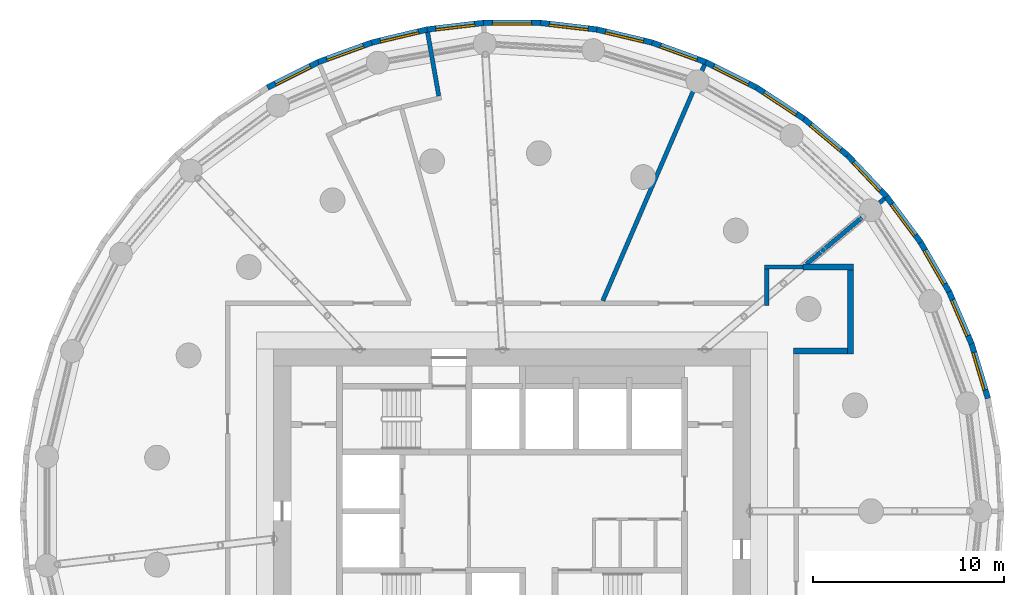
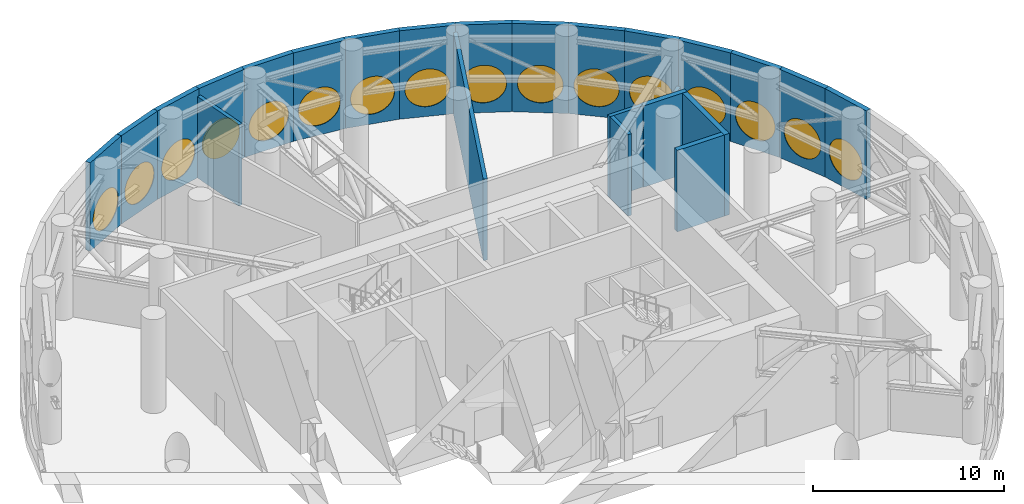
# One storey, part 12 of 15: 24 walls, 16 windows, 16 openings.
"""IFC4 building model written with IfcOpenShell, lengths in metres."""

from ifc_helpers import new_model, si_unit, direction, frame, frame_2d, origin, origin_2d, place, context, subcontext, project, spatial, rectangle, circle, extrude, material, layer, layer_set, type_object, element, fill, save


model = new_model("IFC4")

# Units and contexts
model_context = context("Model", 3, precision=1e-05, world=origin(), true_north=direction((0.0, 1.0)))
body_context = subcontext(model_context, "Body", "Model", "MODEL_VIEW")
ifc_project = project(units=[si_unit("LENGTHUNIT", "METRE"), si_unit("AREAUNIT", "SQUARE_METRE"), si_unit("VOLUMEUNIT", "CUBIC_METRE"), si_unit("PLANEANGLEUNIT", "RADIAN"), si_unit("MASSUNIT", "GRAM", prefix="KILO")], contexts=[model_context])

# Site, building, storey
site_placement = place(None, origin())
site = spatial("IfcSite", under=ifc_project, at=site_placement, CompositionType="ELEMENT")
building_placement = place(site_placement, origin())
building = spatial("IfcBuilding", under=site, at=building_placement, Name="Tracery Tower", CompositionType="ELEMENT")
storey_placement = place(building_placement, frame((0.0, 0.0, 225.0)))
storey = spatial("IfcBuildingStorey", under=building, at=storey_placement, Name="L58 Plant", CompositionType="ELEMENT", Elevation=225.0)

# Wall, opening, window
ifc_material_1 = material(Name="Precast concrete C50/60", Category="concrete")
ifc_layer_1 = layer(ifc_material_1, 0.300048828125)
ifc_layer_set_1 = layer_set([ifc_layer_1], Name="Plant louvre panel 3000 x 5650")
wall_type_1 = type_object("IfcWallType", Name="Plant louvre panel 3000 x 5650", PredefinedType="SOLIDWALL", material=ifc_layer_set_1)
wall_1_placement = place(storey_placement, frame((24.9560546875, 5.914794921875, 0.0), z_axis=(0.0, 0.0, 1.0), x_axis=(-0.286754535355, 0.958004089998, 0.0)))
wall_1 = element("IfcWall", 1, at=wall_1_placement, inside=storey, type_object=wall_type_1, Name="Plant louvre panel 3 at L58 Plant", PredefinedType="SOLIDWALL", context=body_context, shape_type="SweptSolid", body=[
    extrude(rectangle(XDim=2.982421875, YDim=0.300048828125, at=frame_2d((1.4912109375, 0.0))), origin(), (0.0, 0.0, 1.0), 5.64990234375),
])
opening_1_placement = place(wall_1_placement, frame((1.4912109375, 0.0, 1.824951171875)))
opening_1 = element("IfcOpeningElement", 2, at=opening_1_placement, cuts=wall_1, Name="Opening LV2", PredefinedType="OPENING", context=body_context, shape_type="SweptSolid", body=[
    extrude(circle(Radius=1.199951171875, at=origin_2d()), frame((0.0, 0.159912109375, 0.0), z_axis=(0.0, -1.0, 0.0), x_axis=(1.0, 0.0, 0.0)), (0.0, 0.0, 1.0), 0.320068359375),
])
ifc_material_2 = material(Name="Aluminium louvre, bronze anodised", Category="aluminium")
window_type = type_object("IfcWindowType", Name="Louvred oculus 2400, sill 625", PartitioningType="SINGLE_PANEL", PredefinedType="WINDOW", material=ifc_material_2)
window_1_placement = place(opening_1_placement, origin())
window_1 = element("IfcWindow", 3, at=window_1_placement, inside=storey, type_object=window_type, Name="Louvred oculus 3 at L58 Plant", OverallHeight=2.39990234375, OverallWidth=2.39990234375, PartitioningType="SINGLE_PANEL", PredefinedType="WINDOW", context=body_context, shape_type="SweptSolid", body=[
    extrude(circle(Radius=1.199951171875, at=origin_2d()), frame((0.0, 0.1201171875, 0.0), z_axis=(0.0, -1.0, 0.0), x_axis=(1.0, 0.0, 0.0)), (0.0, 0.0, 1.0), 0.10009765625),
])
fill(opening_1, window_1)

wall_2_placement = place(storey_placement, frame((24.100830078125, 8.77197265625, 0.0), z_axis=(0.0, 0.0, 1.0), x_axis=(-0.396111410027, 0.918202456349, 0.0)))
wall_2 = element("IfcWall", 4, at=wall_2_placement, inside=storey, type_object=wall_type_1, Name="Plant louvre panel 4 at L58 Plant", PredefinedType="SOLIDWALL", context=body_context, shape_type="SweptSolid", body=[
    extrude(rectangle(XDim=2.982421875, YDim=0.300048828125, at=frame_2d((1.4912109375, 0.0))), origin(), (0.0, 0.0, 1.0), 5.64990234375),
])
opening_2_placement = place(wall_2_placement, frame((1.4912109375, 0.0, 1.824951171875)))
opening_2 = element("IfcOpeningElement", 5, at=opening_2_placement, cuts=wall_2, Name="Opening LV2", PredefinedType="OPENING", context=body_context, shape_type="SweptSolid", body=[
    extrude(circle(Radius=1.199951171875, at=origin_2d()), frame((0.0, 0.159912109375, 0.0), z_axis=(0.0, -1.0, 0.0), x_axis=(1.0, 0.0, 0.0)), (0.0, 0.0, 1.0), 0.320068359375),
])
window_2_placement = place(opening_2_placement, origin())
window_2 = element("IfcWindow", 6, at=window_2_placement, inside=storey, type_object=window_type, Name="Louvred oculus 4 at L58 Plant", OverallHeight=2.39990234375, OverallWidth=2.39990234375, PartitioningType="SINGLE_PANEL", PredefinedType="WINDOW", context=body_context, shape_type="SweptSolid", body=[
    extrude(circle(Radius=1.199951171875, at=origin_2d()), frame((0.0, 0.1201171875, 0.0), z_axis=(0.0, -1.0, 0.0), x_axis=(1.0, 0.0, 0.0)), (0.0, 0.0, 1.0), 0.10009765625),
])
fill(opening_2, window_2)

wall_3_placement = place(storey_placement, frame((22.91943359375, 11.510498046875, 0.0), z_axis=(0.0, 0.0, 1.0), x_axis=(-0.499977539641, 0.866038370891, 0.0)))
wall_3 = element("IfcWall", 7, at=wall_3_placement, inside=storey, type_object=wall_type_1, Name="Plant louvre panel 5 at L58 Plant", PredefinedType="SOLIDWALL", context=body_context, shape_type="SweptSolid", body=[
    extrude(rectangle(XDim=2.982666015625, YDim=0.300048828125, at=frame_2d((1.4912109375, 0.0))), origin(), (0.0, 0.0, 1.0), 5.64990234375),
])
opening_3_placement = place(wall_3_placement, frame((1.4912109375, 0.0, 1.824951171875)))
opening_3 = element("IfcOpeningElement", 8, at=opening_3_placement, cuts=wall_3, Name="Opening LV2", PredefinedType="OPENING", context=body_context, shape_type="SweptSolid", body=[
    extrude(circle(Radius=1.199951171875, at=origin_2d()), frame((0.0, 0.159912109375, 0.0), z_axis=(0.0, -1.0, 0.0), x_axis=(1.0, 0.0, 0.0)), (0.0, 0.0, 1.0), 0.320068359375),
])
window_3_placement = place(opening_3_placement, origin())
window_3 = element("IfcWindow", 9, at=window_3_placement, inside=storey, type_object=window_type, Name="Louvred oculus 5 at L58 Plant", OverallHeight=2.39990234375, OverallWidth=2.39990234375, PartitioningType="SINGLE_PANEL", PredefinedType="WINDOW", context=body_context, shape_type="SweptSolid", body=[
    extrude(circle(Radius=1.199951171875, at=origin_2d()), frame((0.0, 0.1201171875, 0.0), z_axis=(0.0, -1.0, 0.0), x_axis=(1.0, 0.0, 0.0)), (0.0, 0.0, 1.0), 0.10009765625),
])
fill(opening_3, window_3)

wall_4_placement = place(storey_placement, frame((21.42822265625, 14.093505859375, 0.0), z_axis=(0.0, 0.0, 1.0), x_axis=(-0.597206768034, 0.802087324557, 0.0)))
wall_4 = element("IfcWall", 10, at=wall_4_placement, inside=storey, type_object=wall_type_1, Name="Plant louvre panel 6 at L58 Plant", PredefinedType="SOLIDWALL", context=body_context, shape_type="SweptSolid", body=[
    extrude(rectangle(XDim=2.982666015625, YDim=0.300048828125, at=frame_2d((1.4912109375, 0.0))), origin(), (0.0, 0.0, 1.0), 5.64990234375),
])
opening_4_placement = place(wall_4_placement, frame((1.4912109375, 0.0, 1.824951171875)))
opening_4 = element("IfcOpeningElement", 11, at=opening_4_placement, cuts=wall_4, Name="Opening LV2", PredefinedType="OPENING", context=body_context, shape_type="SweptSolid", body=[
    extrude(circle(Radius=1.199951171875, at=origin_2d()), frame((0.0, 0.159912109375, 0.0), z_axis=(0.0, -1.0, 0.0), x_axis=(1.0, 0.0, 0.0)), (0.0, 0.0, 1.0), 0.320068359375),
])
window_4_placement = place(opening_4_placement, origin())
window_4 = element("IfcWindow", 12, at=window_4_placement, inside=storey, type_object=window_type, Name="Louvred oculus 6 at L58 Plant", OverallHeight=2.39990234375, OverallWidth=2.39990234375, PartitioningType="SINGLE_PANEL", PredefinedType="WINDOW", context=body_context, shape_type="SweptSolid", body=[
    extrude(circle(Radius=1.199951171875, at=origin_2d()), frame((0.0, 0.1201171875, 0.0), z_axis=(0.0, -1.0, 0.0), x_axis=(1.0, 0.0, 0.0)), (0.0, 0.0, 1.0), 0.10009765625),
])
fill(opening_4, window_4)

wall_5_placement = place(storey_placement, frame((19.64697265625, 16.48583984375, 0.0), z_axis=(0.0, 0.0, 1.0), x_axis=(-0.686219609698, 0.72739442345, 0.0)))
wall_5 = element("IfcWall", 13, at=wall_5_placement, inside=storey, type_object=wall_type_1, Name="Plant louvre panel 7 at L58 Plant", PredefinedType="SOLIDWALL", context=body_context, shape_type="SweptSolid", body=[
    extrude(rectangle(XDim=2.982421875, YDim=0.300048828125, at=frame_2d((1.4912109375, 0.0))), origin(), (0.0, 0.0, 1.0), 5.64990234375),
])
opening_5_placement = place(wall_5_placement, frame((1.4912109375, 0.0, 1.824951171875)))
opening_5 = element("IfcOpeningElement", 14, at=opening_5_placement, cuts=wall_5, Name="Opening LV2", PredefinedType="OPENING", context=body_context, shape_type="SweptSolid", body=[
    extrude(circle(Radius=1.199951171875, at=origin_2d()), frame((0.0, 0.159912109375, 0.0), z_axis=(0.0, -1.0, 0.0), x_axis=(1.0, 0.0, 0.0)), (0.0, 0.0, 1.0), 0.320068359375),
])
window_5_placement = place(opening_5_placement, origin())
window_5 = element("IfcWindow", 15, at=window_5_placement, inside=storey, type_object=window_type, Name="Louvred oculus 7 at L58 Plant", OverallHeight=2.39990234375, OverallWidth=2.39990234375, PartitioningType="SINGLE_PANEL", PredefinedType="WINDOW", context=body_context, shape_type="SweptSolid", body=[
    extrude(circle(Radius=1.199951171875, at=origin_2d()), frame((0.0, 0.1201171875, 0.0), z_axis=(0.0, -1.0, 0.0), x_axis=(1.0, 0.0, 0.0)), (0.0, 0.0, 1.0), 0.10009765625),
])
fill(opening_5, window_5)

wall_6_placement = place(storey_placement, frame((17.600341796875, 18.6552734375, 0.0), z_axis=(0.0, 0.0, 1.0), x_axis=(-0.766015999952, 0.64282150541, 0.0)))
wall_6 = element("IfcWall", 16, at=wall_6_placement, inside=storey, type_object=wall_type_1, Name="Plant louvre panel 8 at L58 Plant", PredefinedType="SOLIDWALL", context=body_context, shape_type="SweptSolid", body=[
    extrude(rectangle(XDim=2.982421875, YDim=0.300048828125, at=frame_2d((1.4912109375, 0.0))), origin(), (0.0, 0.0, 1.0), 5.64990234375),
])
opening_6_placement = place(wall_6_placement, frame((1.4912109375, 0.0, 1.824951171875)))
opening_6 = element("IfcOpeningElement", 17, at=opening_6_placement, cuts=wall_6, Name="Opening LV2", PredefinedType="OPENING", context=body_context, shape_type="SweptSolid", body=[
    extrude(circle(Radius=1.199951171875, at=origin_2d()), frame((0.0, 0.159912109375, 0.0), z_axis=(0.0, -1.0, 0.0), x_axis=(1.0, 0.0, 0.0)), (0.0, 0.0, 1.0), 0.320068359375),
])
window_6_placement = place(opening_6_placement, origin())
window_6 = element("IfcWindow", 18, at=window_6_placement, inside=storey, type_object=window_type, Name="Louvred oculus 8 at L58 Plant", OverallHeight=2.39990234375, OverallWidth=2.39990234375, PartitioningType="SINGLE_PANEL", PredefinedType="WINDOW", context=body_context, shape_type="SweptSolid", body=[
    extrude(circle(Radius=1.199951171875, at=origin_2d()), frame((0.0, 0.1201171875, 0.0), z_axis=(0.0, -1.0, 0.0), x_axis=(1.0, 0.0, 0.0)), (0.0, 0.0, 1.0), 0.10009765625),
])
fill(opening_6, window_6)

wall_7_placement = place(storey_placement, frame((15.315673828125, 20.572509765625, 0.0), z_axis=(0.0, 0.0, 1.0), x_axis=(-0.835497187922, 0.549494721517, 0.0)))
wall_7 = element("IfcWall", 19, at=wall_7_placement, inside=storey, type_object=wall_type_1, Name="Plant louvre panel 9 at L58 Plant", PredefinedType="SOLIDWALL", context=body_context, shape_type="SweptSolid", body=[
    extrude(rectangle(XDim=2.982666015625, YDim=0.300048828125, at=frame_2d((1.4912109375, 0.0))), origin(), (0.0, 0.0, 1.0), 5.64990234375),
])
opening_7_placement = place(wall_7_placement, frame((1.4912109375, 0.0, 1.824951171875)))
opening_7 = element("IfcOpeningElement", 20, at=opening_7_placement, cuts=wall_7, Name="Opening LV2", PredefinedType="OPENING", context=body_context, shape_type="SweptSolid", body=[
    extrude(circle(Radius=1.199951171875, at=origin_2d()), frame((0.0, 0.159912109375, 0.0), z_axis=(0.0, -1.0, 0.0), x_axis=(1.0, 0.0, 0.0)), (0.0, 0.0, 1.0), 0.320068359375),
])
window_7_placement = place(opening_7_placement, origin())
window_7 = element("IfcWindow", 21, at=window_7_placement, inside=storey, type_object=window_type, Name="Louvred oculus 9 at L58 Plant", OverallHeight=2.39990234375, OverallWidth=2.39990234375, PartitioningType="SINGLE_PANEL", PredefinedType="WINDOW", context=body_context, shape_type="SweptSolid", body=[
    extrude(circle(Radius=1.199951171875, at=origin_2d()), frame((0.0, 0.1201171875, 0.0), z_axis=(0.0, -1.0, 0.0), x_axis=(1.0, 0.0, 0.0)), (0.0, 0.0, 1.0), 0.10009765625),
])
fill(opening_7, window_7)

wall_8_placement = place(storey_placement, frame((12.82373046875, 22.21142578125, 0.0), z_axis=(0.0, 0.0, 1.0), x_axis=(-0.893656390984, 0.448751885626, 0.0)))
wall_8 = element("IfcWall", 22, at=wall_8_placement, inside=storey, type_object=wall_type_1, Name="Plant louvre panel 10 at L58 Plant", PredefinedType="SOLIDWALL", context=body_context, shape_type="SweptSolid", body=[
    extrude(rectangle(XDim=2.982421875, YDim=0.300048828125, at=frame_2d((1.4912109375, 0.0))), origin(), (0.0, 0.0, 1.0), 5.64990234375),
])
opening_8_placement = place(wall_8_placement, frame((1.4912109375, 0.0, 1.824951171875)))
opening_8 = element("IfcOpeningElement", 23, at=opening_8_placement, cuts=wall_8, Name="Opening LV2", PredefinedType="OPENING", context=body_context, shape_type="SweptSolid", body=[
    extrude(circle(Radius=1.199951171875, at=origin_2d()), frame((0.0, 0.159912109375, 0.0), z_axis=(0.0, -1.0, 0.0), x_axis=(1.0, 0.0, 0.0)), (0.0, 0.0, 1.0), 0.320068359375),
])
window_8_placement = place(opening_8_placement, origin())
window_8 = element("IfcWindow", 24, at=window_8_placement, inside=storey, type_object=window_type, Name="Louvred oculus 10 at L58 Plant", OverallHeight=2.39990234375, OverallWidth=2.39990234375, PartitioningType="SINGLE_PANEL", PredefinedType="WINDOW", context=body_context, shape_type="SweptSolid", body=[
    extrude(circle(Radius=1.199951171875, at=origin_2d()), frame((0.0, 0.1201171875, 0.0), z_axis=(0.0, -1.0, 0.0), x_axis=(1.0, 0.0, 0.0)), (0.0, 0.0, 1.0), 0.10009765625),
])
fill(opening_8, window_8)

wall_9_placement = place(storey_placement, frame((10.158447265625, 23.5498046875, 0.0), z_axis=(0.0, 0.0, 1.0), x_axis=(-0.939676264274, 0.342065079129, 0.0)))
wall_9 = element("IfcWall", 25, at=wall_9_placement, inside=storey, type_object=wall_type_1, Name="Plant louvre panel 11 at L58 Plant", PredefinedType="SOLIDWALL", context=body_context, shape_type="SweptSolid", body=[
    extrude(rectangle(XDim=2.982666015625, YDim=0.300048828125, at=frame_2d((1.4912109375, 0.0))), origin(), (0.0, 0.0, 1.0), 5.64990234375),
])
opening_9_placement = place(wall_9_placement, frame((1.4912109375, 0.0, 1.824951171875)))
opening_9 = element("IfcOpeningElement", 26, at=opening_9_placement, cuts=wall_9, Name="Opening LV2", PredefinedType="OPENING", context=body_context, shape_type="SweptSolid", body=[
    extrude(circle(Radius=1.199951171875, at=origin_2d()), frame((0.0, 0.159912109375, 0.0), z_axis=(0.0, -1.0, 0.0), x_axis=(1.0, 0.0, 0.0)), (0.0, 0.0, 1.0), 0.320068359375),
])
window_9_placement = place(opening_9_placement, origin())
window_9 = element("IfcWindow", 27, at=window_9_placement, inside=storey, type_object=window_type, Name="Louvred oculus 11 at L58 Plant", OverallHeight=2.39990234375, OverallWidth=2.39990234375, PartitioningType="SINGLE_PANEL", PredefinedType="WINDOW", context=body_context, shape_type="SweptSolid", body=[
    extrude(circle(Radius=1.199951171875, at=origin_2d()), frame((0.0, 0.1201171875, 0.0), z_axis=(0.0, -1.0, 0.0), x_axis=(1.0, 0.0, 0.0)), (0.0, 0.0, 1.0), 0.10009765625),
])
fill(opening_9, window_9)

wall_10_placement = place(storey_placement, frame((7.355712890625, 24.570068359375, 0.0), z_axis=(0.0, 0.0, 1.0), x_axis=(-0.973049843813, 0.230594886012, 0.0)))
wall_10 = element("IfcWall", 28, at=wall_10_placement, inside=storey, type_object=wall_type_1, Name="Plant louvre panel 12 at L58 Plant", PredefinedType="SOLIDWALL", context=body_context, shape_type="SweptSolid", body=[
    extrude(rectangle(XDim=2.982421875, YDim=0.300048828125, at=frame_2d((1.4912109375, 0.0))), origin(), (0.0, 0.0, 1.0), 5.64990234375),
])
opening_10_placement = place(wall_10_placement, frame((1.4912109375, 0.0, 1.824951171875)))
opening_10 = element("IfcOpeningElement", 29, at=opening_10_placement, cuts=wall_10, Name="Opening LV2", PredefinedType="OPENING", context=body_context, shape_type="SweptSolid", body=[
    extrude(circle(Radius=1.199951171875, at=origin_2d()), frame((0.0, 0.159912109375, 0.0), z_axis=(0.0, -1.0, 0.0), x_axis=(1.0, 0.0, 0.0)), (0.0, 0.0, 1.0), 0.320068359375),
])
window_10_placement = place(opening_10_placement, origin())
window_10 = element("IfcWindow", 30, at=window_10_placement, inside=storey, type_object=window_type, Name="Louvred oculus 12 at L58 Plant", OverallHeight=2.39990234375, OverallWidth=2.39990234375, PartitioningType="SINGLE_PANEL", PredefinedType="WINDOW", context=body_context, shape_type="SweptSolid", body=[
    extrude(circle(Radius=1.199951171875, at=origin_2d()), frame((0.0, 0.1201171875, 0.0), z_axis=(0.0, -1.0, 0.0), x_axis=(1.0, 0.0, 0.0)), (0.0, 0.0, 1.0), 0.10009765625),
])
fill(opening_10, window_10)

wall_11_placement = place(storey_placement, frame((4.45361328125, 25.2578125, 0.0), z_axis=(0.0, 0.0, 1.0), x_axis=(-0.993240822844, 0.116071821888, 0.0)))
wall_11 = element("IfcWall", 31, at=wall_11_placement, inside=storey, type_object=wall_type_1, Name="Plant louvre panel 13 at L58 Plant", PredefinedType="SOLIDWALL", context=body_context, shape_type="SweptSolid", body=[
    extrude(rectangle(XDim=2.982666015625, YDim=0.300048828125, at=frame_2d((1.4912109375, 0.0))), origin(), (0.0, 0.0, 1.0), 5.64990234375),
])
opening_11_placement = place(wall_11_placement, frame((1.4912109375, 0.0, 1.824951171875)))
opening_11 = element("IfcOpeningElement", 32, at=opening_11_placement, cuts=wall_11, Name="Opening LV2", PredefinedType="OPENING", context=body_context, shape_type="SweptSolid", body=[
    extrude(circle(Radius=1.199951171875, at=origin_2d()), frame((0.0, 0.159912109375, 0.0), z_axis=(0.0, -1.0, 0.0), x_axis=(1.0, 0.0, 0.0)), (0.0, 0.0, 1.0), 0.320068359375),
])
window_11_placement = place(opening_11_placement, origin())
window_11 = element("IfcWindow", 33, at=window_11_placement, inside=storey, type_object=window_type, Name="Louvred oculus 13 at L58 Plant", OverallHeight=2.39990234375, OverallWidth=2.39990234375, PartitioningType="SINGLE_PANEL", PredefinedType="WINDOW", context=body_context, shape_type="SweptSolid", body=[
    extrude(circle(Radius=1.199951171875, at=origin_2d()), frame((0.0, 0.1201171875, 0.0), z_axis=(0.0, -1.0, 0.0), x_axis=(1.0, 0.0, 0.0)), (0.0, 0.0, 1.0), 0.10009765625),
])
fill(opening_11, window_11)

wall_12_placement = place(storey_placement, frame((1.4912109375, 25.60400390625, 0.0), z_axis=(0.0, 0.0, 1.0), x_axis=(-1.0, 0.0, 0.0)))
wall_12 = element("IfcWall", 34, at=wall_12_placement, inside=storey, type_object=wall_type_1, Name="Plant louvre panel 14 at L58 Plant", PredefinedType="SOLIDWALL", context=body_context, shape_type="SweptSolid", body=[
    extrude(rectangle(XDim=2.982421875, YDim=0.300048828125, at=frame_2d((1.4912109375, 0.0))), origin(), (0.0, 0.0, 1.0), 5.64990234375),
])
opening_12_placement = place(wall_12_placement, frame((1.4912109375, 0.0, 1.824951171875)))
opening_12 = element("IfcOpeningElement", 35, at=opening_12_placement, cuts=wall_12, Name="Opening LV2", PredefinedType="OPENING", context=body_context, shape_type="SweptSolid", body=[
    extrude(circle(Radius=1.199951171875, at=origin_2d()), frame((0.0, 0.159912109375, 0.0), z_axis=(0.0, -1.0, 0.0), x_axis=(1.0, 0.0, 0.0)), (0.0, 0.0, 1.0), 0.320068359375),
])
window_12_placement = place(opening_12_placement, origin())
window_12 = element("IfcWindow", 36, at=window_12_placement, inside=storey, type_object=window_type, Name="Louvred oculus 14 at L58 Plant", OverallHeight=2.39990234375, OverallWidth=2.39990234375, PartitioningType="SINGLE_PANEL", PredefinedType="WINDOW", context=body_context, shape_type="SweptSolid", body=[
    extrude(circle(Radius=1.199951171875, at=origin_2d()), frame((0.0, 0.1201171875, 0.0), z_axis=(0.0, -1.0, 0.0), x_axis=(1.0, 0.0, 0.0)), (0.0, 0.0, 1.0), 0.10009765625),
])
fill(opening_12, window_12)

wall_13_placement = place(storey_placement, frame((-1.4912109375, 25.60400390625, 0.0), z_axis=(0.0, 0.0, 1.0), x_axis=(-0.993240822844, -0.116071821888, 0.0)))
wall_13 = element("IfcWall", 37, at=wall_13_placement, inside=storey, type_object=wall_type_1, Name="Plant louvre panel 15 at L58 Plant", PredefinedType="SOLIDWALL", context=body_context, shape_type="SweptSolid", body=[
    extrude(rectangle(XDim=2.982666015625, YDim=0.300048828125, at=frame_2d((1.4912109375, 0.0))), origin(), (0.0, 0.0, 1.0), 5.64990234375),
])
opening_13_placement = place(wall_13_placement, frame((1.4912109375, 0.0, 1.824951171875)))
opening_13 = element("IfcOpeningElement", 38, at=opening_13_placement, cuts=wall_13, Name="Opening LV2", PredefinedType="OPENING", context=body_context, shape_type="SweptSolid", body=[
    extrude(circle(Radius=1.199951171875, at=origin_2d()), frame((0.0, 0.159912109375, 0.0), z_axis=(0.0, -1.0, 0.0), x_axis=(1.0, 0.0, 0.0)), (0.0, 0.0, 1.0), 0.320068359375),
])
window_13_placement = place(opening_13_placement, origin())
window_13 = element("IfcWindow", 39, at=window_13_placement, inside=storey, type_object=window_type, Name="Louvred oculus 15 at L58 Plant", OverallHeight=2.39990234375, OverallWidth=2.39990234375, PartitioningType="SINGLE_PANEL", PredefinedType="WINDOW", context=body_context, shape_type="SweptSolid", body=[
    extrude(circle(Radius=1.199951171875, at=origin_2d()), frame((0.0, 0.1201171875, 0.0), z_axis=(0.0, -1.0, 0.0), x_axis=(1.0, 0.0, 0.0)), (0.0, 0.0, 1.0), 0.10009765625),
])
fill(opening_13, window_13)

wall_14_placement = place(storey_placement, frame((-4.45361328125, 25.2578125, 0.0), z_axis=(0.0, 0.0, 1.0), x_axis=(-0.973049843813, -0.230594886012, 0.0)))
wall_14 = element("IfcWall", 40, at=wall_14_placement, inside=storey, type_object=wall_type_1, Name="Plant louvre panel 16 at L58 Plant", PredefinedType="SOLIDWALL", context=body_context, shape_type="SweptSolid", body=[
    extrude(rectangle(XDim=2.982421875, YDim=0.300048828125, at=frame_2d((1.4912109375, 0.0))), origin(), (0.0, 0.0, 1.0), 5.64990234375),
])
opening_14_placement = place(wall_14_placement, frame((1.4912109375, 0.0, 1.824951171875)))
opening_14 = element("IfcOpeningElement", 41, at=opening_14_placement, cuts=wall_14, Name="Opening LV2", PredefinedType="OPENING", context=body_context, shape_type="SweptSolid", body=[
    extrude(circle(Radius=1.199951171875, at=origin_2d()), frame((0.0, 0.159912109375, 0.0), z_axis=(0.0, -1.0, 0.0), x_axis=(1.0, 0.0, 0.0)), (0.0, 0.0, 1.0), 0.320068359375),
])
window_14_placement = place(opening_14_placement, origin())
window_14 = element("IfcWindow", 42, at=window_14_placement, inside=storey, type_object=window_type, Name="Louvred oculus 16 at L58 Plant", OverallHeight=2.39990234375, OverallWidth=2.39990234375, PartitioningType="SINGLE_PANEL", PredefinedType="WINDOW", context=body_context, shape_type="SweptSolid", body=[
    extrude(circle(Radius=1.199951171875, at=origin_2d()), frame((0.0, 0.1201171875, 0.0), z_axis=(0.0, -1.0, 0.0), x_axis=(1.0, 0.0, 0.0)), (0.0, 0.0, 1.0), 0.10009765625),
])
fill(opening_14, window_14)

wall_15_placement = place(storey_placement, frame((-7.355712890625, 24.570068359375, 0.0), z_axis=(0.0, 0.0, 1.0), x_axis=(-0.939676264274, -0.342065079129, 0.0)))
wall_15 = element("IfcWall", 43, at=wall_15_placement, inside=storey, type_object=wall_type_1, Name="Plant louvre panel 17 at L58 Plant", PredefinedType="SOLIDWALL", context=body_context, shape_type="SweptSolid", body=[
    extrude(rectangle(XDim=2.982666015625, YDim=0.300048828125, at=frame_2d((1.4912109375, 0.0))), origin(), (0.0, 0.0, 1.0), 5.64990234375),
])
opening_15_placement = place(wall_15_placement, frame((1.4912109375, 0.0, 1.824951171875)))
opening_15 = element("IfcOpeningElement", 44, at=opening_15_placement, cuts=wall_15, Name="Opening LV2", PredefinedType="OPENING", context=body_context, shape_type="SweptSolid", body=[
    extrude(circle(Radius=1.199951171875, at=origin_2d()), frame((0.0, 0.159912109375, 0.0), z_axis=(0.0, -1.0, 0.0), x_axis=(1.0, 0.0, 0.0)), (0.0, 0.0, 1.0), 0.320068359375),
])
window_15_placement = place(opening_15_placement, origin())
window_15 = element("IfcWindow", 45, at=window_15_placement, inside=storey, type_object=window_type, Name="Louvred oculus 17 at L58 Plant", OverallHeight=2.39990234375, OverallWidth=2.39990234375, PartitioningType="SINGLE_PANEL", PredefinedType="WINDOW", context=body_context, shape_type="SweptSolid", body=[
    extrude(circle(Radius=1.199951171875, at=origin_2d()), frame((0.0, 0.1201171875, 0.0), z_axis=(0.0, -1.0, 0.0), x_axis=(1.0, 0.0, 0.0)), (0.0, 0.0, 1.0), 0.10009765625),
])
fill(opening_15, window_15)

wall_16_placement = place(storey_placement, frame((-10.158447265625, 23.5498046875, 0.0), z_axis=(0.0, 0.0, 1.0), x_axis=(-0.893656390984, -0.448751885626, 0.0)))
wall_16 = element("IfcWall", 46, at=wall_16_placement, inside=storey, type_object=wall_type_1, Name="Plant louvre panel 18 at L58 Plant", PredefinedType="SOLIDWALL", context=body_context, shape_type="SweptSolid", body=[
    extrude(rectangle(XDim=2.982421875, YDim=0.300048828125, at=frame_2d((1.4912109375, 0.0))), origin(), (0.0, 0.0, 1.0), 5.64990234375),
])
opening_16_placement = place(wall_16_placement, frame((1.4912109375, 0.0, 1.824951171875)))
opening_16 = element("IfcOpeningElement", 47, at=opening_16_placement, cuts=wall_16, Name="Opening LV2", PredefinedType="OPENING", context=body_context, shape_type="SweptSolid", body=[
    extrude(circle(Radius=1.199951171875, at=origin_2d()), frame((0.0, 0.159912109375, 0.0), z_axis=(0.0, -1.0, 0.0), x_axis=(1.0, 0.0, 0.0)), (0.0, 0.0, 1.0), 0.320068359375),
])
window_16_placement = place(opening_16_placement, origin())
window_16 = element("IfcWindow", 48, at=window_16_placement, inside=storey, type_object=window_type, Name="Louvred oculus 18 at L58 Plant", OverallHeight=2.39990234375, OverallWidth=2.39990234375, PartitioningType="SINGLE_PANEL", PredefinedType="WINDOW", context=body_context, shape_type="SweptSolid", body=[
    extrude(circle(Radius=1.199951171875, at=origin_2d()), frame((0.0, 0.1201171875, 0.0), z_axis=(0.0, -1.0, 0.0), x_axis=(1.0, 0.0, 0.0)), (0.0, 0.0, 1.0), 0.10009765625),
])
fill(opening_16, window_16)

# Walls
ifc_material_3 = material(Name="Concrete blockwork", Category="masonry")
ifc_layer_2 = layer(ifc_material_3, 0.22509765625)
ifc_layer_set_2 = layer_set([ifc_layer_2], Name="Plant room block wall 225")
wall_type_2 = type_object("IfcWallType", Name="Plant room block wall 225", PredefinedType="PARTITIONING", material=ifc_layer_set_2)
wall_17_placement = place(storey_placement, frame((-4.427490234375, 25.10986328125, 0.0), z_axis=(0.0, 0.0, 1.0), x_axis=(0.173678620436, -0.984802384645, 0.0)))
element("IfcWall", 49, at=wall_17_placement, inside=storey, type_object=wall_type_2, Name="Plant room block wall 225", PredefinedType="PARTITIONING", context=body_context, shape_type="SweptSolid", body=[
    extrude(rectangle(XDim=3.393310546875, YDim=0.22509765625, at=frame_2d((1.69677734375, 0.0))), origin(), (0.0, 0.0, 1.0), 5.199951171875),
])
wall_18_placement = place(storey_placement, frame((10.098876953125, 23.411865234375, 0.0), z_axis=(0.0, 0.0, 1.0), x_axis=(-0.396077936738, -0.918216895961, 0.0)))
element("IfcWall", 50, at=wall_18_placement, inside=storey, type_object=wall_type_2, Name="Plant room block wall 225", PredefinedType="PARTITIONING", context=body_context, shape_type="SweptSolid", body=[
    extrude(rectangle(XDim=13.479248046875, YDim=0.22509765625, at=frame_2d((6.73974609375, 0.0))), origin(), (0.0, 0.0, 1.0), 5.199951171875),
])
wall_19_placement = place(storey_placement, frame((13.3515625, 12.6904296875, 0.0), z_axis=(0.0, 0.0, 1.0), x_axis=(0.0, -1.0, 0.0)))
element("IfcWall", 51, at=wall_19_placement, inside=storey, type_object=wall_type_2, Name="Plant room block wall 225", PredefinedType="PARTITIONING", context=body_context, shape_type="SweptSolid", body=[
    extrude(rectangle(XDim=1.90283203125, YDim=0.22509765625, at=frame_2d((0.951416015625, 0.0))), origin(), (0.0, 0.0, 1.0), 5.199951171875),
])
wall_20_placement = place(storey_placement, frame((15.2578125, 12.802978515625, 0.0), z_axis=(0.0, 0.0, 1.0), x_axis=(-1.0, 0.0, 0.0)))
element("IfcWall", 52, at=wall_20_placement, inside=storey, type_object=wall_type_2, Name="Plant room block wall 225", PredefinedType="PARTITIONING", context=body_context, shape_type="SweptSolid", body=[
    extrude(rectangle(XDim=2.018798828125, YDim=0.22509765625, at=frame_2d((1.00927734375, 0.0))), origin(), (0.0, 0.0, 1.0), 5.199951171875),
])
ifc_material_4 = material(Name="Concrete blockwork", Category="masonry")
ifc_layer_3 = layer(ifc_material_4, 0.22509765625)
ifc_layer_set_3 = layer_set([ifc_layer_3], Name="Plant wall under outrigger truss 225")
wall_type_3 = type_object("IfcWallType", Name="Plant wall under outrigger truss 225", PredefinedType="PARTITIONING", material=ifc_layer_set_3)
wall_21_placement = place(storey_placement, frame((19.531982421875, 16.389404296875, 0.0), z_axis=(0.0, 0.0, 1.0), x_axis=(-0.766023242491, -0.642812874765, 0.0)))
element("IfcWall", 53, at=wall_21_placement, inside=storey, type_object=wall_type_3, Name="Plant wall under outrigger truss 225", PredefinedType="PARTITIONING", context=body_context, shape_type="SweptSolid", body=[
    extrude(rectangle(XDim=5.34619140625, YDim=0.22509765625, at=frame_2d((2.673095703125, 0.0))), origin(), (0.0, 0.0, 1.0), 2.699951171875),
])
ifc_material_5 = material(Name="Concrete blockwork", Category="masonry")
ifc_layer_4 = layer(ifc_material_5, 0.300048828125)
ifc_layer_set_4 = layer_set([ifc_layer_4], Name="Transformer room block wall 300")
wall_type_4 = type_object("IfcWallType", Name="Transformer room block wall 300", PredefinedType="PARTITIONING", material=ifc_layer_set_4)
wall_22_placement = place(storey_placement, frame((14.75, 8.40283203125, 0.0), z_axis=(0.0, 0.0, 1.0), x_axis=(1.0, 0.0, 0.0)))
element("IfcWall", 54, at=wall_22_placement, inside=storey, type_object=wall_type_4, Name="Transformer room block wall 300", PredefinedType="PARTITIONING", context=body_context, shape_type="SweptSolid", body=[
    extrude(rectangle(XDim=2.8515625, YDim=0.300048828125, at=frame_2d((1.42578125, 0.0))), origin(), (0.0, 0.0, 1.0), 5.199951171875),
])
wall_23_placement = place(storey_placement, frame((17.751708984375, 8.2529296875, 0.0), z_axis=(0.0, 0.0, 1.0), x_axis=(0.0, 1.0, 0.0)))
element("IfcWall", 55, at=wall_23_placement, inside=storey, type_object=wall_type_4, Name="Transformer room block wall 300", PredefinedType="PARTITIONING", context=body_context, shape_type="SweptSolid", body=[
    extrude(rectangle(XDim=4.39990234375, YDim=0.300048828125, at=frame_2d((2.199951171875, 0.0))), origin(), (0.0, 0.0, 1.0), 5.199951171875),
])
wall_24_placement = place(storey_placement, frame((17.901611328125, 12.802978515625, 0.0), z_axis=(0.0, 0.0, 1.0), x_axis=(-1.0, 0.0, 0.0)))
element("IfcWall", 56, at=wall_24_placement, inside=storey, type_object=wall_type_4, Name="Transformer room block wall 300", PredefinedType="PARTITIONING", context=body_context, shape_type="SweptSolid", body=[
    extrude(rectangle(XDim=2.643798828125, YDim=0.300048828125, at=frame_2d((1.32177734375, 0.0))), origin(), (0.0, 0.0, 1.0), 5.199951171875),
])

save(model, "model.ifc")
